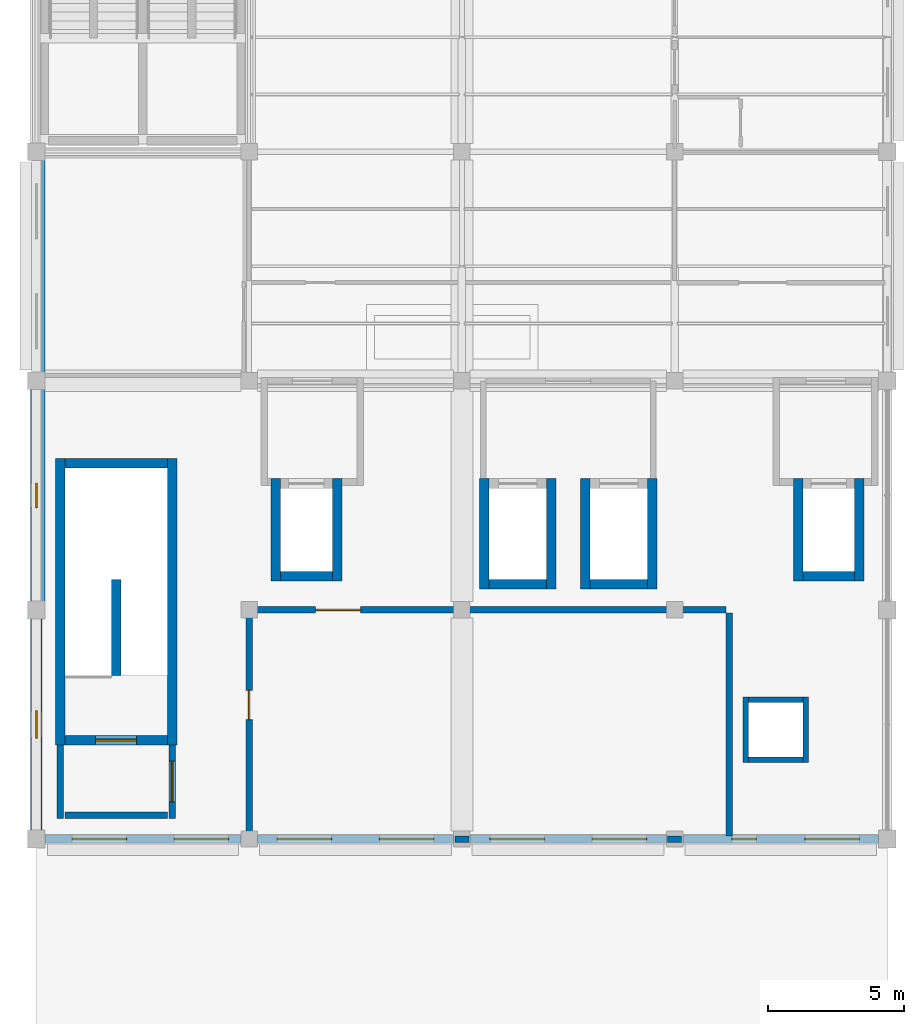
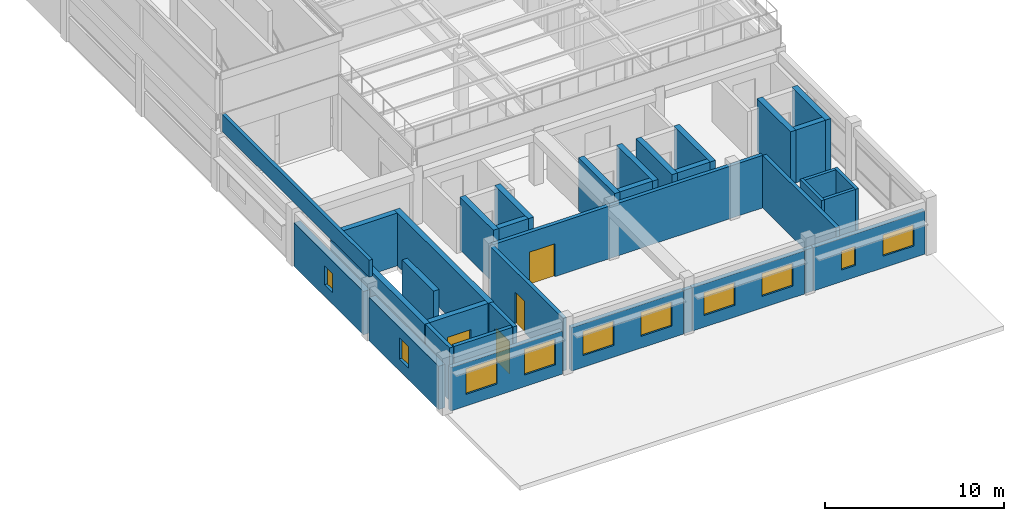
# One storey, part 14 of 20: 36 walls, 10 windows, 4 doors, 14 openings.
"""IFC4 building model written with IfcOpenShell, lengths in metres."""

from ifc_helpers import new_model, si_unit, direction, frame, frame_2d, origin, place, context, subcontext, project, spatial, rectangle, extrude, material, layer, layer_set, type_object, element, fill, save


model = new_model("IFC4")

# Units and contexts
model_context = context("Model", 3, precision=1e-05, world=origin(), true_north=direction((0.0, 1.0)))
body_context = subcontext(model_context, "Body", "Model", "MODEL_VIEW")
ifc_project = project(units=[si_unit("LENGTHUNIT", "METRE"), si_unit("AREAUNIT", "SQUARE_METRE"), si_unit("VOLUMEUNIT", "CUBIC_METRE"), si_unit("PLANEANGLEUNIT", "RADIAN"), si_unit("MASSUNIT", "GRAM", prefix="KILO"), si_unit("THERMODYNAMICTEMPERATUREUNIT", "KELVIN"), si_unit("POWERUNIT", "WATT")], contexts=[model_context])

# Site, building, storey
site_placement = place(None, origin())
site = spatial("IfcSite", under=ifc_project, at=site_placement, CompositionType="ELEMENT")
building_placement = place(site_placement, origin())
building = spatial("IfcBuilding", under=site, at=building_placement, Name="Srebrne Nadtorze General Hospital", CompositionType="ELEMENT")
storey_placement = place(building_placement, frame((0.0, 0.0, 33.89990234375)))
storey = spatial("IfcBuildingStorey", under=building, at=storey_placement, Name="L08", CompositionType="ELEMENT", Elevation=33.89990234375)

# Wall, opening, window
ifc_material_1 = material(Name="Concrete C40/50", Category="concrete")
ifc_layer_1 = layer(ifc_material_1, 0.419921875)
ifc_layer_set_1 = layer_set([ifc_layer_1], Name="Concrete C40/50")
wall_type_1 = type_object("IfcWallType", Name="Acoustic buffer wall 420", PredefinedType="SOLIDWALL", material=ifc_layer_set_1)
wall_1_placement = place(storey_placement, frame((23.39990234375, 33.925048828125, 0.0), z_axis=(0.0, 0.0, 1.0), x_axis=(0.0, 1.0, 0.0)))
wall_1 = element("IfcWall", 1, at=wall_1_placement, inside=storey, type_object=wall_type_1, Name="Exterior wall WL-ENV-L08-0558", PredefinedType="SOLIDWALL", context=body_context, shape_type="SweptSolid", body=[
    extrude(rectangle(XDim=7.75, YDim=0.419921875, at=frame_2d((3.875, 0.0))), origin(), (0.0, 0.0, 1.0), 2.9501953125),
])
opening_1_placement = place(wall_1_placement, frame((3.375, 0.0, 0.800048828125)))
opening_1 = element("IfcOpeningElement", 2, at=opening_1_placement, cuts=wall_1, Name="Opening WN-L08-0942", PredefinedType="OPENING", context=body_context, shape_type="SweptSolid", body=[
    extrude(rectangle(XDim=1.0, YDim=1.449951171875, at=frame_2d((0.5, 0.72509765625))), frame((0.0, 0.221923828125, 0.0), z_axis=(0.0, -1.0, 0.0), x_axis=(1.0, 0.0, 0.0)), (0.0, 0.0, 1.0), 0.44384765625),
])
ifc_material_2 = material(Name="Triple Low-E Glazing", Category="glass")
window_type_1 = type_object("IfcWindowType", Name="Punched clinical window 1000x1450", PartitioningType="SINGLE_PANEL", PredefinedType="WINDOW", material=ifc_material_2)
window_1_placement = place(opening_1_placement, origin())
window_1 = element("IfcWindow", 3, at=window_1_placement, inside=storey, type_object=window_type_1, Name="Clinical window WN-L08-0942", OverallHeight=1.449951171875, OverallWidth=1.0, PartitioningType="SINGLE_PANEL", PredefinedType="WINDOW", context=body_context, shape_type="SweptSolid", body=[
    extrude(rectangle(XDim=1.0, YDim=1.449951171875, at=frame_2d((0.5, 0.72509765625))), frame((0.0, 0.030029296875, 0.0), z_axis=(0.0, -1.0, 0.0), x_axis=(1.0, 0.0, 0.0)), (0.0, 0.0, 1.0), 0.06005859375),
])
fill(opening_1, window_1)

wall_2_placement = place(storey_placement, frame((23.39990234375, 42.324951171875, 0.0), z_axis=(0.0, 0.0, 1.0), x_axis=(0.0, 1.0, 0.0)))
wall_2 = element("IfcWall", 4, at=wall_2_placement, inside=storey, type_object=wall_type_1, Name="Exterior wall WL-ENV-L08-0559", PredefinedType="SOLIDWALL", context=body_context, shape_type="SweptSolid", body=[
    extrude(rectangle(XDim=7.75, YDim=0.419921875, at=frame_2d((3.875, 0.0))), origin(), (0.0, 0.0, 1.0), 2.9501953125),
])
opening_2_placement = place(wall_2_placement, frame((3.425048828125, 0.0, 0.800048828125)))
opening_2 = element("IfcOpeningElement", 5, at=opening_2_placement, cuts=wall_2, Name="Opening WN-L08-0943", PredefinedType="OPENING", context=body_context, shape_type="SweptSolid", body=[
    extrude(rectangle(XDim=0.89990234375, YDim=1.300048828125, at=frame_2d((0.449951171875, 0.64990234375))), frame((0.0, 0.221923828125, 0.0), z_axis=(0.0, -1.0, 0.0), x_axis=(1.0, 0.0, 0.0)), (0.0, 0.0, 1.0), 0.44384765625),
])
ifc_material_3 = material(Name="Triple Low-E Glazing", Category="glass")
window_type_2 = type_object("IfcWindowType", Name="Punched clinical window 900x1300", PartitioningType="SINGLE_PANEL", PredefinedType="WINDOW", material=ifc_material_3)
window_2_placement = place(opening_2_placement, origin())
window_2 = element("IfcWindow", 6, at=window_2_placement, inside=storey, type_object=window_type_2, Name="Clinical window WN-L08-0943", OverallHeight=1.300048828125, OverallWidth=0.89990234375, PartitioningType="SINGLE_PANEL", PredefinedType="WINDOW", context=body_context, shape_type="SweptSolid", body=[
    extrude(rectangle(XDim=0.89990234375, YDim=1.300048828125, at=frame_2d((0.449951171875, 0.64990234375))), frame((0.0, 0.030029296875, 0.0), z_axis=(0.0, -1.0, 0.0), x_axis=(1.0, 0.0, 0.0)), (0.0, 0.0, 1.0), 0.06005859375),
])
fill(opening_2, window_2)

# Walls
ifc_material_4 = material(Name="Gypsum Healthcare Partition")
ifc_layer_2 = layer(ifc_material_4, 0.199951171875)
ifc_layer_set_2 = layer_set([ifc_layer_2], Name="Gypsum Healthcare Partition")
wall_type_2 = type_object("IfcWallType", Name="Compartment wall 200", PredefinedType="STANDARD", material=ifc_layer_set_2)
for number, where, z_axis, x_axis, name in (
    (7, (49.39990234375, 36.39990234375, 0.0), (0.0, 0.0, 1.0), (0.0, 1.0, 0.0), "MEP riser wall WL-INT-L08-1188"),
    (8, (51.60009765625, 36.39990234375, 0.0), (0.0, 0.0, 1.0), (0.0, 1.0, 0.0), "MEP riser wall WL-INT-L08-1189"),
):
    element("IfcWall", number, at=place(storey_placement, frame(where, z_axis=z_axis, x_axis=x_axis)), inside=storey, type_object=wall_type_2, Name=name, PredefinedType="STANDARD", context=body_context, shape_type="SweptSolid", body=[
        extrude(rectangle(XDim=2.400146484375, YDim=0.199951171875, at=frame_2d((1.2001953125, 0.0))), origin(), (0.0, 0.0, 1.0), 3.60009765625),
    ])
for number, where, z_axis, x_axis, name in (
    (9, (49.5, 36.5, 0.0), (0.0, 0.0, 1.0), (1.0, 0.0, 0.0), "MEP riser wall WL-INT-L08-1190"),
    (10, (49.5, 38.699951171875, 0.0), (0.0, 0.0, 1.0), (1.0, 0.0, 0.0), "MEP riser wall WL-INT-L08-1191"),
):
    element("IfcWall", number, at=place(storey_placement, frame(where, z_axis=z_axis, x_axis=x_axis)), inside=storey, type_object=wall_type_2, Name=name, PredefinedType="STANDARD", context=body_context, shape_type="SweptSolid", body=[
        extrude(rectangle(XDim=2.0, YDim=0.199951171875, at=frame_2d((1.0, 0.0))), origin(), (0.0, 0.0, 1.0), 3.60009765625),
    ])
ifc_material_5 = material(Name="Gypsum Healthcare Partition")
ifc_layer_3 = layer(ifc_material_5, 0.239990234375)
ifc_layer_set_3 = layer_set([ifc_layer_3], Name="Gypsum Healthcare Partition")
wall_type_3 = type_object("IfcWallType", Name="Corridor fire wall 240", PredefinedType="STANDARD", material=ifc_layer_set_3)
wall_3_placement = place(storey_placement, frame((24.27490234375, 34.35498046875, 0.0), z_axis=(0.0, 0.0, 1.0), x_axis=(0.0, 1.0, 0.0)))
element("IfcWall", 11, at=wall_3_placement, inside=storey, type_object=wall_type_3, Name="Fire lobby wall ST-01 WL-INT-L08-0445", PredefinedType="STANDARD", context=body_context, shape_type="SweptSolid", body=[
    extrude(rectangle(XDim=2.695068359375, YDim=0.239990234375, at=frame_2d((1.34765625, 0.0))), origin(), (0.0, 0.0, 1.0), 3.60009765625),
])

# Wall, opening, door
wall_4_placement = place(storey_placement, frame((28.375, 34.35498046875, 0.0), z_axis=(0.0, 0.0, 1.0), x_axis=(0.0, 1.0, 0.0)))
wall_4 = element("IfcWall", 12, at=wall_4_placement, inside=storey, type_object=wall_type_3, Name="Fire lobby wall ST-01 WL-INT-L08-0446", PredefinedType="STANDARD", context=body_context, shape_type="SweptSolid", body=[
    extrude(rectangle(XDim=2.695068359375, YDim=0.239990234375, at=frame_2d((1.34765625, 0.0))), origin(), (0.0, 0.0, 1.0), 3.60009765625),
])
opening_3_placement = place(wall_4_placement, frame((0.597412109375, 0.0, 0.0)))
opening_3 = element("IfcOpeningElement", 13, at=opening_3_placement, cuts=wall_4, Name="Opening D-L08-0112", PredefinedType="OPENING", context=body_context, shape_type="SweptSolid", body=[
    extrude(rectangle(XDim=1.5, YDim=2.199951171875, at=frame_2d((0.75, 1.10009765625))), frame((0.0, 0.1318359375, 0.0), z_axis=(0.0, -1.0, 0.0), x_axis=(1.0, 0.0, 0.0)), (0.0, 0.0, 1.0), 0.263916015625),
])
ifc_material_6 = material(Name="Anodised Aluminium", Category="aluminium")
door_type_1 = type_object("IfcDoorType", Name="Double leaf door 1500x2200", OperationType="DOUBLE_DOOR_SINGLE_SWING", PredefinedType="DOOR", material=ifc_material_6)
door_1_placement = place(opening_3_placement, origin())
door_1 = element("IfcDoor", 14, at=door_1_placement, inside=storey, type_object=door_type_1, Name="Fire lobby door ST-01 D-L08-0112", OperationType="DOUBLE_DOOR_SINGLE_SWING", OverallHeight=2.199951171875, OverallWidth=1.5, PredefinedType="DOOR", context=body_context, shape_type="SweptSolid", body=[
    extrude(rectangle(XDim=1.5, YDim=2.199951171875, at=frame_2d((0.75, 1.10009765625))), frame((0.0, 0.02490234375, 0.0), z_axis=(0.0, -1.0, 0.0), x_axis=(1.0, 0.0, 0.0)), (0.0, 0.0, 1.0), 0.050048828125),
])
fill(opening_3, door_1)

# Wall
wall_5_placement = place(storey_placement, frame((24.449951171875, 34.47509765625, 0.0), z_axis=(0.0, 0.0, 1.0), x_axis=(1.0, 0.0, 0.0)))
element("IfcWall", 15, at=wall_5_placement, inside=storey, type_object=wall_type_3, Name="Fire lobby entry wall ST-01 WL-INT-L08-0447", PredefinedType="STANDARD", context=body_context, shape_type="SweptSolid", body=[
    extrude(rectangle(XDim=3.75, YDim=0.239990234375, at=frame_2d((1.875, 0.0))), origin(), (0.0, 0.0, 1.0), 3.60009765625),
])

# Wall, opening, door
wall_6_placement = place(storey_placement, frame((31.31005859375, 42.0, 0.0), z_axis=(0.0, 0.0, 1.0), x_axis=(1.0, 0.0, 0.0)))
wall_6 = element("IfcWall", 16, at=wall_6_placement, inside=storey, type_object=wall_type_3, Name="Helipad Foam and Medical Air Plant wall WL-INT-L08-2532", PredefinedType="STANDARD", context=body_context, shape_type="SweptSolid", body=[
    extrude(rectangle(XDim=17.3798828125, YDim=0.239990234375, at=frame_2d((8.68994140625, 0.0))), origin(), (0.0, 0.0, 1.0), 3.580078125),
])
opening_4_placement = place(wall_6_placement, frame((2.326904296875, 0.0, 0.0)))
opening_4 = element("IfcOpeningElement", 17, at=opening_4_placement, cuts=wall_6, Name="Opening D-L08-0597", PredefinedType="OPENING", context=body_context, shape_type="SweptSolid", body=[
    extrude(rectangle(XDim=1.64990234375, YDim=2.25, at=frame_2d((0.824951171875, 1.125))), frame((0.0, 0.1318359375, 0.0), z_axis=(0.0, -1.0, 0.0), x_axis=(1.0, 0.0, 0.0)), (0.0, 0.0, 1.0), 0.263916015625),
])
ifc_material_7 = material(Name="Anodised Aluminium", Category="aluminium")
door_type_2 = type_object("IfcDoorType", Name="Double leaf door 1650x2250", OperationType="DOUBLE_DOOR_SINGLE_SWING", PredefinedType="DOOR", material=ifc_material_7)
door_2_placement = place(opening_4_placement, frame((1.64990234375, 0.0, 0.0), z_axis=(0.0, 0.0, 1.0), x_axis=(-1.0, 0.0, 0.0)))
door_2 = element("IfcDoor", 18, at=door_2_placement, inside=storey, type_object=door_type_2, Name="Helipad Foam and Medical Air Plant door D-L08-0597", OperationType="DOUBLE_DOOR_SINGLE_SWING", OverallHeight=2.25, OverallWidth=1.64990234375, PredefinedType="DOOR", context=body_context, shape_type="SweptSolid", body=[
    extrude(rectangle(XDim=1.64990234375, YDim=2.25, at=frame_2d((0.824951171875, 1.125))), frame((0.0, 0.02490234375, 0.0), z_axis=(0.0, -1.0, 0.0), x_axis=(1.0, 0.0, 0.0)), (0.0, 0.0, 1.0), 0.050048828125),
])
fill(opening_4, door_2)

# Walls
for number, where, z_axis, x_axis, name in (
    (19, (38.739990234375, 33.60009765625, 0.0), (0.0, 0.0, 1.0), (1.0, 0.0, 0.0), "Helipad Foam and Medical Air Plant wall WL-INT-L08-2533"),
    (20, (46.5400390625, 33.60009765625, 0.0), (0.0, 0.0, 1.0), (1.0, 0.0, 0.0), "Helipad Foam and Medical Air Plant wall WL-INT-L08-2534"),
):
    element("IfcWall", number, at=place(storey_placement, frame(where, z_axis=z_axis, x_axis=x_axis)), inside=storey, type_object=wall_type_3, Name=name, PredefinedType="STANDARD", context=body_context, shape_type="SweptSolid", body=[
        extrude(rectangle(XDim=0.52001953125, YDim=0.239990234375, at=frame_2d((0.260009765625, 0.0))), origin(), (0.0, 0.0, 1.0), 2.9501953125),
    ])

# Wall, opening, door
wall_7_placement = place(storey_placement, frame((31.199951171875, 33.7099609375, 0.0), z_axis=(0.0, 0.0, 1.0), x_axis=(0.0, 1.0, 0.0)))
wall_7 = element("IfcWall", 21, at=wall_7_placement, inside=storey, type_object=wall_type_3, Name="Helipad Foam and Medical Air Plant wall WL-INT-L08-2535", PredefinedType="STANDARD", context=body_context, shape_type="SweptSolid", body=[
    extrude(rectangle(XDim=8.179931640625, YDim=0.239990234375, at=frame_2d((4.08984375, 0.0))), origin(), (0.0, 0.0, 1.0), 3.580078125),
])
opening_5_placement = place(wall_7_placement, frame((4.264892578125, 0.0, 0.0)))
opening_5 = element("IfcOpeningElement", 22, at=opening_5_placement, cuts=wall_7, Name="Opening D-L08-0606", PredefinedType="OPENING", context=body_context, shape_type="SweptSolid", body=[
    extrude(rectangle(XDim=1.080078125, YDim=2.14990234375, at=frame_2d((0.5400390625, 1.074951171875))), frame((0.0, 0.1318359375, 0.0), z_axis=(0.0, -1.0, 0.0), x_axis=(1.0, 0.0, 0.0)), (0.0, 0.0, 1.0), 0.263916015625),
])
ifc_material_8 = material(Name="Anodised Aluminium", Category="aluminium")
door_type_3 = type_object("IfcDoorType", Name="Single leaf door 1080x2150", OperationType="NOTDEFINED", PredefinedType="DOOR", material=ifc_material_8)
door_3_placement = place(opening_5_placement, frame((1.080078125, 0.0, 0.0), z_axis=(0.0, 0.0, 1.0), x_axis=(-1.0, 0.0, 0.0)))
door_3 = element("IfcDoor", 23, at=door_3_placement, inside=storey, type_object=door_type_3, Name="Helipad Foam and Medical Air Plant link door D-L08-0606", OperationType="SINGLE_SWING_LEFT", OverallHeight=2.14990234375, OverallWidth=1.080078125, PredefinedType="DOOR", context=body_context, shape_type="SweptSolid", body=[
    extrude(rectangle(XDim=1.080078125, YDim=2.14990234375, at=frame_2d((0.5400390625, 1.074951171875))), frame((0.0, 0.02490234375, 0.0), z_axis=(0.0, -1.0, 0.0), x_axis=(1.0, 0.0, 0.0)), (0.0, 0.0, 1.0), 0.050048828125),
])
fill(opening_5, door_3)

# Walls
wall_8_placement = place(storey_placement, frame((48.800048828125, 33.7099609375, 0.0), z_axis=(0.0, 0.0, 1.0), x_axis=(0.0, 1.0, 0.0)))
element("IfcWall", 24, at=wall_8_placement, inside=storey, type_object=wall_type_3, Name="Helipad Foam and Medical Air Plant wall WL-INT-L08-2536", PredefinedType="STANDARD", context=body_context, shape_type="SweptSolid", body=[
    extrude(rectangle(XDim=8.179931640625, YDim=0.239990234375, at=frame_2d((4.08984375, 0.0))), origin(), (0.0, 0.0, 1.0), 3.580078125),
])
ifc_material_9 = material(Name="Concrete C35/45 precast", Category="concrete")
ifc_layer_4 = layer(ifc_material_9, 0.219970703125)
ifc_layer_set_4 = layer_set([ifc_layer_4], Name="Concrete C35/45 precast")
wall_type_4 = type_object("IfcWallType", Name="Roof parapet wall 220", PredefinedType="PARAPET", material=ifc_layer_set_4)
wall_9_placement = place(storey_placement, frame((23.60009765625, 42.199951171875, 3.900146484375), z_axis=(0.0, 0.0, 1.0), x_axis=(0.0, 1.0, 0.0)))
element("IfcWall", 25, at=wall_9_placement, inside=storey, type_object=wall_type_4, Name="Roof parapet wall WP-L08-03", PredefinedType="PARAPET", context=body_context, shape_type="SweptSolid", body=[
    extrude(rectangle(XDim=16.400146484375, YDim=0.219970703125, at=frame_2d((8.2001953125, 0.0))), origin(), (0.0, 0.0, 1.0), 1.14990234375),
])
ifc_material_10 = material(Name="Concrete C40/50", Category="concrete")
ifc_layer_5 = layer(ifc_material_10, 0.35009765625)
ifc_layer_set_5 = layer_set([ifc_layer_5], Name="Concrete C40/50")
wall_type_5 = type_object("IfcWallType", Name="Shear core wall 350", PredefinedType="SHEAR", material=ifc_layer_set_5)
for number, where, z_axis, x_axis, name in (
    (26, (24.27490234375, 37.050048828125, 0.0), (0.0, 0.0, 1.0), (0.0, 1.0, 0.0), "Stair core wall ST-01 WL-INT-L08-0441"),
    (27, (28.375, 37.050048828125, 0.0), (0.0, 0.0, 1.0), (0.0, 1.0, 0.0), "Stair core wall ST-01 WL-INT-L08-0442"),
):
    element("IfcWall", number, at=place(storey_placement, frame(where, z_axis=z_axis, x_axis=x_axis)), inside=storey, type_object=wall_type_5, Name=name, PredefinedType="SHEAR", context=body_context, shape_type="SweptSolid", body=[
        extrude(rectangle(XDim=10.5, YDim=0.35009765625, at=frame_2d((5.25, 0.0))), origin(), (0.0, 0.0, 1.0), 3.60009765625),
    ])
wall_10_placement = place(storey_placement, frame((24.449951171875, 47.375, 0.0), z_axis=(0.0, 0.0, 1.0), x_axis=(1.0, 0.0, 0.0)))
element("IfcWall", 28, at=wall_10_placement, inside=storey, type_object=wall_type_5, Name="Stair core wall ST-01 WL-INT-L08-0443", PredefinedType="SHEAR", context=body_context, shape_type="SweptSolid", body=[
    extrude(rectangle(XDim=3.75, YDim=0.35009765625, at=frame_2d((1.875, 0.0))), origin(), (0.0, 0.0, 1.0), 3.60009765625),
])

# Wall, opening, door
wall_11_placement = place(storey_placement, frame((24.449951171875, 37.22509765625, 0.0), z_axis=(0.0, 0.0, 1.0), x_axis=(1.0, 0.0, 0.0)))
wall_11 = element("IfcWall", 29, at=wall_11_placement, inside=storey, type_object=wall_type_5, Name="Stairwell fire wall ST-01 WL-INT-L08-0444", PredefinedType="SHEAR", context=body_context, shape_type="SweptSolid", body=[
    extrude(rectangle(XDim=3.75, YDim=0.35009765625, at=frame_2d((1.875, 0.0))), origin(), (0.0, 0.0, 1.0), 3.60009765625),
])
opening_6_placement = place(wall_11_placement, frame((1.125, 0.0, 0.0)))
opening_6 = element("IfcOpeningElement", 30, at=opening_6_placement, cuts=wall_11, Name="Opening D-L08-0111", PredefinedType="OPENING", context=body_context, shape_type="SweptSolid", body=[
    extrude(rectangle(XDim=1.5, YDim=2.199951171875, at=frame_2d((0.75, 1.10009765625))), frame((0.0, 0.18701171875, 0.0), z_axis=(0.0, -1.0, 0.0), x_axis=(1.0, 0.0, 0.0)), (0.0, 0.0, 1.0), 0.3740234375),
])
door_4_placement = place(opening_6_placement, origin())
door_4 = element("IfcDoor", 31, at=door_4_placement, inside=storey, type_object=door_type_1, Name="Protected stair door ST-01 D-L08-0111", OperationType="DOUBLE_DOOR_SINGLE_SWING", OverallHeight=2.199951171875, OverallWidth=1.5, PredefinedType="DOOR", context=body_context, shape_type="SweptSolid", body=[
    extrude(rectangle(XDim=1.5, YDim=2.199951171875, at=frame_2d((0.75, 1.10009765625))), frame((0.0, 0.02490234375, 0.0), z_axis=(0.0, -1.0, 0.0), x_axis=(1.0, 0.0, 0.0)), (0.0, 0.0, 1.0), 0.050048828125),
])
fill(opening_6, door_4)

# Walls
wall_12_placement = place(storey_placement, frame((26.324951171875, 39.60009765625, 0.0), z_axis=(0.0, 0.0, 1.0), x_axis=(0.0, 1.0, 0.0)))
element("IfcWall", 32, at=wall_12_placement, inside=storey, type_object=wall_type_5, Name="Stair spine wall ST-01 WL-INT-L08-0448", PredefinedType="SHEAR", context=body_context, shape_type="SweptSolid", body=[
    extrude(rectangle(XDim=3.52001953125, YDim=0.35009765625, at=frame_2d((1.760009765625, 0.0))), origin(), (0.0, 0.0, 1.0), 3.60009765625),
])
for number, where, z_axis, x_axis, name in (
    (33, (32.175048828125, 43.06005859375, 0.0), (0.0, 0.0, 1.0), (0.0, 1.0, 0.0), "Lift shaft wall FL-01 WL-INT-L08-0502"),
    (34, (34.425048828125, 43.06005859375, 0.0), (0.0, 0.0, 1.0), (0.0, 1.0, 0.0), "Lift shaft wall FL-01 WL-INT-L08-0503"),
):
    element("IfcWall", number, at=place(storey_placement, frame(where, z_axis=z_axis, x_axis=x_axis)), inside=storey, type_object=wall_type_5, Name=name, PredefinedType="SHEAR", context=body_context, shape_type="SweptSolid", body=[
        extrude(rectangle(XDim=3.75, YDim=0.35009765625, at=frame_2d((1.875, 0.0))), origin(), (0.0, 0.0, 1.0), 3.60009765625),
    ])
wall_13_placement = place(storey_placement, frame((32.35009765625, 43.235107421875, 0.0), z_axis=(0.0, 0.0, 1.0), x_axis=(1.0, 0.0, 0.0)))
element("IfcWall", 35, at=wall_13_placement, inside=storey, type_object=wall_type_5, Name="Lift shaft back wall FL-01 WL-INT-L08-0504", PredefinedType="SHEAR", context=body_context, shape_type="SweptSolid", body=[
    extrude(rectangle(XDim=1.89990234375, YDim=0.35009765625, at=frame_2d((0.949951171875, 0.0))), origin(), (0.0, 0.0, 1.0), 3.60009765625),
])
for number, where, z_axis, x_axis, name in (
    (36, (39.824951171875, 42.760009765625, 0.0), (0.0, 0.0, 1.0), (0.0, 1.0, 0.0), "Lift shaft wall LS-01 WL-INT-L08-0578"),
    (37, (42.27490234375, 42.760009765625, 0.0), (0.0, 0.0, 1.0), (0.0, 1.0, 0.0), "Lift shaft wall LS-01 WL-INT-L08-0579"),
):
    element("IfcWall", number, at=place(storey_placement, frame(where, z_axis=z_axis, x_axis=x_axis)), inside=storey, type_object=wall_type_5, Name=name, PredefinedType="SHEAR", context=body_context, shape_type="SweptSolid", body=[
        extrude(rectangle(XDim=4.050048828125, YDim=0.35009765625, at=frame_2d((2.02490234375, 0.0))), origin(), (0.0, 0.0, 1.0), 3.60009765625),
    ])
wall_14_placement = place(storey_placement, frame((40.0, 42.93505859375, 0.0), z_axis=(0.0, 0.0, 1.0), x_axis=(1.0, 0.0, 0.0)))
element("IfcWall", 38, at=wall_14_placement, inside=storey, type_object=wall_type_5, Name="Lift shaft back wall LS-01 WL-INT-L08-0580", PredefinedType="SHEAR", context=body_context, shape_type="SweptSolid", body=[
    extrude(rectangle(XDim=2.10009765625, YDim=0.35009765625, at=frame_2d((1.050048828125, 0.0))), origin(), (0.0, 0.0, 1.0), 3.60009765625),
])
for number, where, z_axis, x_axis, name in (
    (39, (43.52490234375, 42.760009765625, 0.0), (0.0, 0.0, 1.0), (0.0, 1.0, 0.0), "Lift shaft wall LS-02 WL-INT-L08-0618"),
    (40, (45.97509765625, 42.760009765625, 0.0), (0.0, 0.0, 1.0), (0.0, 1.0, 0.0), "Lift shaft wall LS-02 WL-INT-L08-0619"),
):
    element("IfcWall", number, at=place(storey_placement, frame(where, z_axis=z_axis, x_axis=x_axis)), inside=storey, type_object=wall_type_5, Name=name, PredefinedType="SHEAR", context=body_context, shape_type="SweptSolid", body=[
        extrude(rectangle(XDim=4.050048828125, YDim=0.35009765625, at=frame_2d((2.02490234375, 0.0))), origin(), (0.0, 0.0, 1.0), 3.60009765625),
    ])
wall_15_placement = place(storey_placement, frame((43.699951171875, 42.93505859375, 0.0), z_axis=(0.0, 0.0, 1.0), x_axis=(1.0, 0.0, 0.0)))
element("IfcWall", 41, at=wall_15_placement, inside=storey, type_object=wall_type_5, Name="Lift shaft back wall LS-02 WL-INT-L08-0620", PredefinedType="SHEAR", context=body_context, shape_type="SweptSolid", body=[
    extrude(rectangle(XDim=2.10009765625, YDim=0.35009765625, at=frame_2d((1.050048828125, 0.0))), origin(), (0.0, 0.0, 1.0), 3.60009765625),
])
for number, where, z_axis, x_axis, name in (
    (42, (51.324951171875, 43.06005859375, 0.0), (0.0, 0.0, 1.0), (0.0, 1.0, 0.0), "Lift shaft wall FL-02 WL-INT-L08-0694"),
    (43, (53.574951171875, 43.06005859375, 0.0), (0.0, 0.0, 1.0), (0.0, 1.0, 0.0), "Lift shaft wall FL-02 WL-INT-L08-0695"),
):
    element("IfcWall", number, at=place(storey_placement, frame(where, z_axis=z_axis, x_axis=x_axis)), inside=storey, type_object=wall_type_5, Name=name, PredefinedType="SHEAR", context=body_context, shape_type="SweptSolid", body=[
        extrude(rectangle(XDim=3.75, YDim=0.35009765625, at=frame_2d((1.875, 0.0))), origin(), (0.0, 0.0, 1.0), 3.60009765625),
    ])
wall_16_placement = place(storey_placement, frame((51.5, 43.235107421875, 0.0), z_axis=(0.0, 0.0, 1.0), x_axis=(1.0, 0.0, 0.0)))
element("IfcWall", 44, at=wall_16_placement, inside=storey, type_object=wall_type_5, Name="Lift shaft back wall FL-02 WL-INT-L08-0696", PredefinedType="SHEAR", context=body_context, shape_type="SweptSolid", body=[
    extrude(rectangle(XDim=1.89990234375, YDim=0.35009765625, at=frame_2d((0.949951171875, 0.0))), origin(), (0.0, 0.0, 1.0), 3.60009765625),
])

# Wall, openings, windows
ifc_material_11 = material(Name="Concrete C35/45 precast", Category="concrete")
ifc_layer_6 = layer(ifc_material_11, 0.280029296875)
ifc_layer_set_6 = layer_set([ifc_layer_6], Name="Concrete C35/45 precast")
wall_type_6 = type_object("IfcWallType", Name="Spandrel wall 280", PredefinedType="STANDARD", material=ifc_layer_set_6)
wall_17_placement = place(storey_placement, frame((23.72509765625, 33.60009765625, 0.0), z_axis=(0.0, 0.0, 1.0), x_axis=(1.0, 0.0, 0.0)))
wall_17 = element("IfcWall", 45, at=wall_17_placement, inside=storey, type_object=wall_type_6, Name="Exterior wall WL-ENV-L08-0550", PredefinedType="STANDARD", context=body_context, shape_type="SweptSolid", body=[
    extrude(rectangle(XDim=7.1748046875, YDim=0.280029296875, at=frame_2d((3.58740234375, 0.0))), origin(), (0.0, 0.0, 1.0), 2.9501953125),
])
opening_7_placement = place(wall_17_placement, frame((0.98291015625, 0.0, 0.800048828125)))
opening_7 = element("IfcOpeningElement", 46, at=opening_7_placement, cuts=wall_17, Name="Opening WN-L08-0926", PredefinedType="OPENING", context=body_context, shape_type="SweptSolid", body=[
    extrude(rectangle(XDim=2.0, YDim=1.75, at=frame_2d((1.0, 0.875))), frame((0.0, 0.15185546875, 0.0), z_axis=(0.0, -1.0, 0.0), x_axis=(1.0, 0.0, 0.0)), (0.0, 0.0, 1.0), 0.303955078125),
])
opening_8_placement = place(wall_17_placement, frame((4.72705078125, 0.0, 0.800048828125)))
opening_8 = element("IfcOpeningElement", 47, at=opening_8_placement, cuts=wall_17, Name="Opening WN-L08-0927", PredefinedType="OPENING", context=body_context, shape_type="SweptSolid", body=[
    extrude(rectangle(XDim=2.0, YDim=1.75, at=frame_2d((1.0, 0.875))), frame((0.0, 0.15185546875, 0.0), z_axis=(0.0, -1.0, 0.0), x_axis=(1.0, 0.0, 0.0)), (0.0, 0.0, 1.0), 0.303955078125),
])
ifc_material_12 = material(Name="Triple Low-E Glazing", Category="glass")
window_type_3 = type_object("IfcWindowType", Name="Punched clinical window 2000x1750", PartitioningType="DOUBLE_PANEL_VERTICAL", PredefinedType="WINDOW", material=ifc_material_12)
window_3_placement = place(opening_7_placement, origin())
window_3 = element("IfcWindow", 48, at=window_3_placement, inside=storey, type_object=window_type_3, Name="Clinical window WN-L08-0926", OverallHeight=1.75, OverallWidth=2.0, PartitioningType="DOUBLE_PANEL_VERTICAL", PredefinedType="WINDOW", context=body_context, shape_type="SweptSolid", body=[
    extrude(rectangle(XDim=2.0, YDim=1.75, at=frame_2d((1.0, 0.875))), frame((0.0, 0.030029296875, 0.0), z_axis=(0.0, -1.0, 0.0), x_axis=(1.0, 0.0, 0.0)), (0.0, 0.0, 1.0), 0.06005859375),
])
fill(opening_7, window_3)
window_4_placement = place(opening_8_placement, origin())
window_4 = element("IfcWindow", 49, at=window_4_placement, inside=storey, type_object=window_type_3, Name="Clinical window WN-L08-0927", OverallHeight=1.75, OverallWidth=2.0, PartitioningType="DOUBLE_PANEL_VERTICAL", PredefinedType="WINDOW", context=body_context, shape_type="SweptSolid", body=[
    extrude(rectangle(XDim=2.0, YDim=1.75, at=frame_2d((1.0, 0.875))), frame((0.0, 0.030029296875, 0.0), z_axis=(0.0, -1.0, 0.0), x_axis=(1.0, 0.0, 0.0)), (0.0, 0.0, 1.0), 0.06005859375),
])
fill(opening_8, window_4)

wall_18_placement = place(storey_placement, frame((31.5, 33.60009765625, 0.0), z_axis=(0.0, 0.0, 1.0), x_axis=(1.0, 0.0, 0.0)))
wall_18 = element("IfcWall", 50, at=wall_18_placement, inside=storey, type_object=wall_type_6, Name="Exterior wall WL-ENV-L08-0551", PredefinedType="STANDARD", context=body_context, shape_type="SweptSolid", body=[
    extrude(rectangle(XDim=7.199951171875, YDim=0.280029296875, at=frame_2d((3.60009765625, 0.0))), origin(), (0.0, 0.0, 1.0), 2.9501953125),
])
opening_9_placement = place(wall_18_placement, frame((0.72802734375, 0.0, 0.800048828125)))
opening_9 = element("IfcOpeningElement", 51, at=opening_9_placement, cuts=wall_18, Name="Opening WN-L08-0928", PredefinedType="OPENING", context=body_context, shape_type="SweptSolid", body=[
    extrude(rectangle(XDim=2.0, YDim=1.64990234375, at=frame_2d((1.0, 0.824951171875))), frame((0.0, 0.15185546875, 0.0), z_axis=(0.0, -1.0, 0.0), x_axis=(1.0, 0.0, 0.0)), (0.0, 0.0, 1.0), 0.303955078125),
])
opening_10_placement = place(wall_18_placement, frame((4.471923828125, 0.0, 0.800048828125)))
opening_10 = element("IfcOpeningElement", 52, at=opening_10_placement, cuts=wall_18, Name="Opening WN-L08-0929", PredefinedType="OPENING", context=body_context, shape_type="SweptSolid", body=[
    extrude(rectangle(XDim=2.0, YDim=1.64990234375, at=frame_2d((1.0, 0.824951171875))), frame((0.0, 0.15185546875, 0.0), z_axis=(0.0, -1.0, 0.0), x_axis=(1.0, 0.0, 0.0)), (0.0, 0.0, 1.0), 0.303955078125),
])
ifc_material_13 = material(Name="Triple Low-E Glazing", Category="glass")
window_type_4 = type_object("IfcWindowType", Name="Punched clinical window 2000x1650", PartitioningType="DOUBLE_PANEL_VERTICAL", PredefinedType="WINDOW", material=ifc_material_13)
window_5_placement = place(opening_9_placement, origin())
window_5 = element("IfcWindow", 53, at=window_5_placement, inside=storey, type_object=window_type_4, Name="Clinical window WN-L08-0928", OverallHeight=1.64990234375, OverallWidth=2.0, PartitioningType="DOUBLE_PANEL_VERTICAL", PredefinedType="WINDOW", context=body_context, shape_type="SweptSolid", body=[
    extrude(rectangle(XDim=2.0, YDim=1.64990234375, at=frame_2d((1.0, 0.824951171875))), frame((0.0, 0.030029296875, 0.0), z_axis=(0.0, -1.0, 0.0), x_axis=(1.0, 0.0, 0.0)), (0.0, 0.0, 1.0), 0.06005859375),
])
fill(opening_9, window_5)
window_6_placement = place(opening_10_placement, origin())
window_6 = element("IfcWindow", 54, at=window_6_placement, inside=storey, type_object=window_type_4, Name="Clinical window WN-L08-0929", OverallHeight=1.64990234375, OverallWidth=2.0, PartitioningType="DOUBLE_PANEL_VERTICAL", PredefinedType="WINDOW", context=body_context, shape_type="SweptSolid", body=[
    extrude(rectangle(XDim=2.0, YDim=1.64990234375, at=frame_2d((1.0, 0.824951171875))), frame((0.0, 0.030029296875, 0.0), z_axis=(0.0, -1.0, 0.0), x_axis=(1.0, 0.0, 0.0)), (0.0, 0.0, 1.0), 0.06005859375),
])
fill(opening_10, window_6)

wall_19_placement = place(storey_placement, frame((39.300048828125, 33.60009765625, 0.0), z_axis=(0.0, 0.0, 1.0), x_axis=(1.0, 0.0, 0.0)))
wall_19 = element("IfcWall", 55, at=wall_19_placement, inside=storey, type_object=wall_type_6, Name="Exterior wall WL-ENV-L08-0552", PredefinedType="STANDARD", context=body_context, shape_type="SweptSolid", body=[
    extrude(rectangle(XDim=7.199951171875, YDim=0.280029296875, at=frame_2d((3.60009765625, 0.0))), origin(), (0.0, 0.0, 1.0), 2.9501953125),
])
opening_11_placement = place(wall_19_placement, frame((0.72802734375, 0.0, 0.800048828125)))
opening_11 = element("IfcOpeningElement", 56, at=opening_11_placement, cuts=wall_19, Name="Opening WN-L08-0930", PredefinedType="OPENING", context=body_context, shape_type="SweptSolid", body=[
    extrude(rectangle(XDim=2.0, YDim=1.550048828125, at=frame_2d((1.0, 0.77490234375))), frame((0.0, 0.15185546875, 0.0), z_axis=(0.0, -1.0, 0.0), x_axis=(1.0, 0.0, 0.0)), (0.0, 0.0, 1.0), 0.303955078125),
])
opening_12_placement = place(wall_19_placement, frame((4.471923828125, 0.0, 0.800048828125)))
opening_12 = element("IfcOpeningElement", 57, at=opening_12_placement, cuts=wall_19, Name="Opening WN-L08-0931", PredefinedType="OPENING", context=body_context, shape_type="SweptSolid", body=[
    extrude(rectangle(XDim=2.0, YDim=1.550048828125, at=frame_2d((1.0, 0.77490234375))), frame((0.0, 0.15185546875, 0.0), z_axis=(0.0, -1.0, 0.0), x_axis=(1.0, 0.0, 0.0)), (0.0, 0.0, 1.0), 0.303955078125),
])
ifc_material_14 = material(Name="Triple Low-E Glazing", Category="glass")
window_type_5 = type_object("IfcWindowType", Name="Punched clinical window 2000x1550", PartitioningType="DOUBLE_PANEL_VERTICAL", PredefinedType="WINDOW", material=ifc_material_14)
window_7_placement = place(opening_11_placement, origin())
window_7 = element("IfcWindow", 58, at=window_7_placement, inside=storey, type_object=window_type_5, Name="Clinical window WN-L08-0930", OverallHeight=1.550048828125, OverallWidth=2.0, PartitioningType="DOUBLE_PANEL_VERTICAL", PredefinedType="WINDOW", context=body_context, shape_type="SweptSolid", body=[
    extrude(rectangle(XDim=2.0, YDim=1.550048828125, at=frame_2d((1.0, 0.77490234375))), frame((0.0, 0.030029296875, 0.0), z_axis=(0.0, -1.0, 0.0), x_axis=(1.0, 0.0, 0.0)), (0.0, 0.0, 1.0), 0.06005859375),
])
fill(opening_11, window_7)
window_8_placement = place(opening_12_placement, origin())
window_8 = element("IfcWindow", 59, at=window_8_placement, inside=storey, type_object=window_type_5, Name="Clinical window WN-L08-0931", OverallHeight=1.550048828125, OverallWidth=2.0, PartitioningType="DOUBLE_PANEL_VERTICAL", PredefinedType="WINDOW", context=body_context, shape_type="SweptSolid", body=[
    extrude(rectangle(XDim=2.0, YDim=1.550048828125, at=frame_2d((1.0, 0.77490234375))), frame((0.0, 0.030029296875, 0.0), z_axis=(0.0, -1.0, 0.0), x_axis=(1.0, 0.0, 0.0)), (0.0, 0.0, 1.0), 0.06005859375),
])
fill(opening_12, window_8)

wall_20_placement = place(storey_placement, frame((47.10009765625, 33.60009765625, 0.0), z_axis=(0.0, 0.0, 1.0), x_axis=(1.0, 0.0, 0.0)))
wall_20 = element("IfcWall", 60, at=wall_20_placement, inside=storey, type_object=wall_type_6, Name="Exterior wall WL-ENV-L08-0553", PredefinedType="STANDARD", context=body_context, shape_type="SweptSolid", body=[
    extrude(rectangle(XDim=7.1748046875, YDim=0.280029296875, at=frame_2d((3.58740234375, 0.0))), origin(), (0.0, 0.0, 1.0), 2.9501953125),
])
opening_13_placement = place(wall_20_placement, frame((1.798095703125, 0.0, 0.800048828125)))
opening_13 = element("IfcOpeningElement", 61, at=opening_13_placement, cuts=wall_20, Name="Opening WN-L08-0932", PredefinedType="OPENING", context=body_context, shape_type="SweptSolid", body=[
    extrude(rectangle(XDim=0.89990234375, YDim=1.300048828125, at=frame_2d((0.449951171875, 0.64990234375))), frame((0.0, 0.15185546875, 0.0), z_axis=(0.0, -1.0, 0.0), x_axis=(1.0, 0.0, 0.0)), (0.0, 0.0, 1.0), 0.303955078125),
])
opening_14_placement = place(wall_20_placement, frame((4.471923828125, 0.0, 0.800048828125)))
opening_14 = element("IfcOpeningElement", 62, at=opening_14_placement, cuts=wall_20, Name="Opening WN-L08-0933", PredefinedType="OPENING", context=body_context, shape_type="SweptSolid", body=[
    extrude(rectangle(XDim=2.0, YDim=1.449951171875, at=frame_2d((1.0, 0.72509765625))), frame((0.0, 0.15185546875, 0.0), z_axis=(0.0, -1.0, 0.0), x_axis=(1.0, 0.0, 0.0)), (0.0, 0.0, 1.0), 0.303955078125),
])
ifc_material_15 = material(Name="Triple Low-E Glazing", Category="glass")
window_type_6 = type_object("IfcWindowType", Name="Punched clinical window 2000x1450", PartitioningType="DOUBLE_PANEL_VERTICAL", PredefinedType="WINDOW", material=ifc_material_15)
window_9_placement = place(opening_14_placement, origin())
window_9 = element("IfcWindow", 63, at=window_9_placement, inside=storey, type_object=window_type_6, Name="Clinical window WN-L08-0933", OverallHeight=1.449951171875, OverallWidth=2.0, PartitioningType="DOUBLE_PANEL_VERTICAL", PredefinedType="WINDOW", context=body_context, shape_type="SweptSolid", body=[
    extrude(rectangle(XDim=2.0, YDim=1.449951171875, at=frame_2d((1.0, 0.72509765625))), frame((0.0, 0.030029296875, 0.0), z_axis=(0.0, -1.0, 0.0), x_axis=(1.0, 0.0, 0.0)), (0.0, 0.0, 1.0), 0.06005859375),
])
fill(opening_14, window_9)
window_10_placement = place(opening_13_placement, origin())
window_10 = element("IfcWindow", 64, at=window_10_placement, inside=storey, type_object=window_type_2, Name="Clinical window WN-L08-0932", OverallHeight=1.300048828125, OverallWidth=0.89990234375, PartitioningType="SINGLE_PANEL", PredefinedType="WINDOW", context=body_context, shape_type="SweptSolid", body=[
    extrude(rectangle(XDim=0.89990234375, YDim=1.300048828125, at=frame_2d((0.449951171875, 0.64990234375))), frame((0.0, 0.030029296875, 0.0), z_axis=(0.0, -1.0, 0.0), x_axis=(1.0, 0.0, 0.0)), (0.0, 0.0, 1.0), 0.06005859375),
])
fill(opening_13, window_10)

save(model, "model.ifc")
